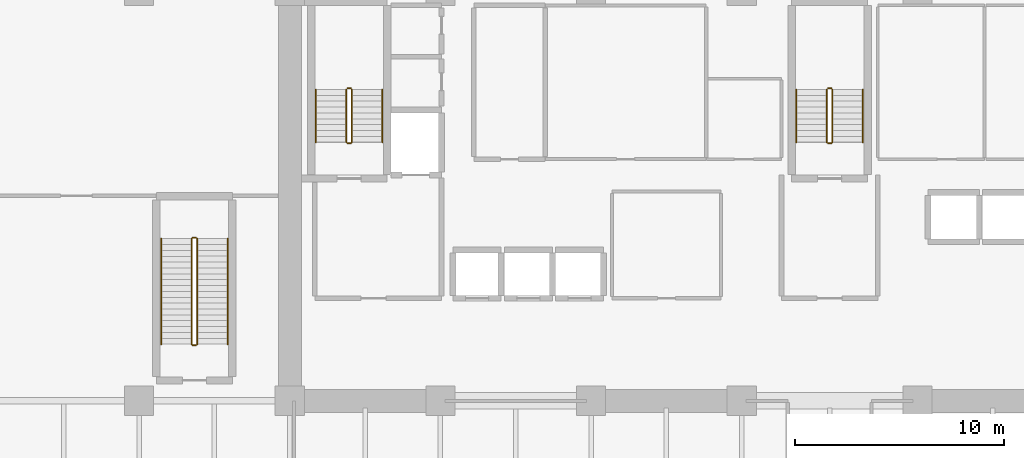
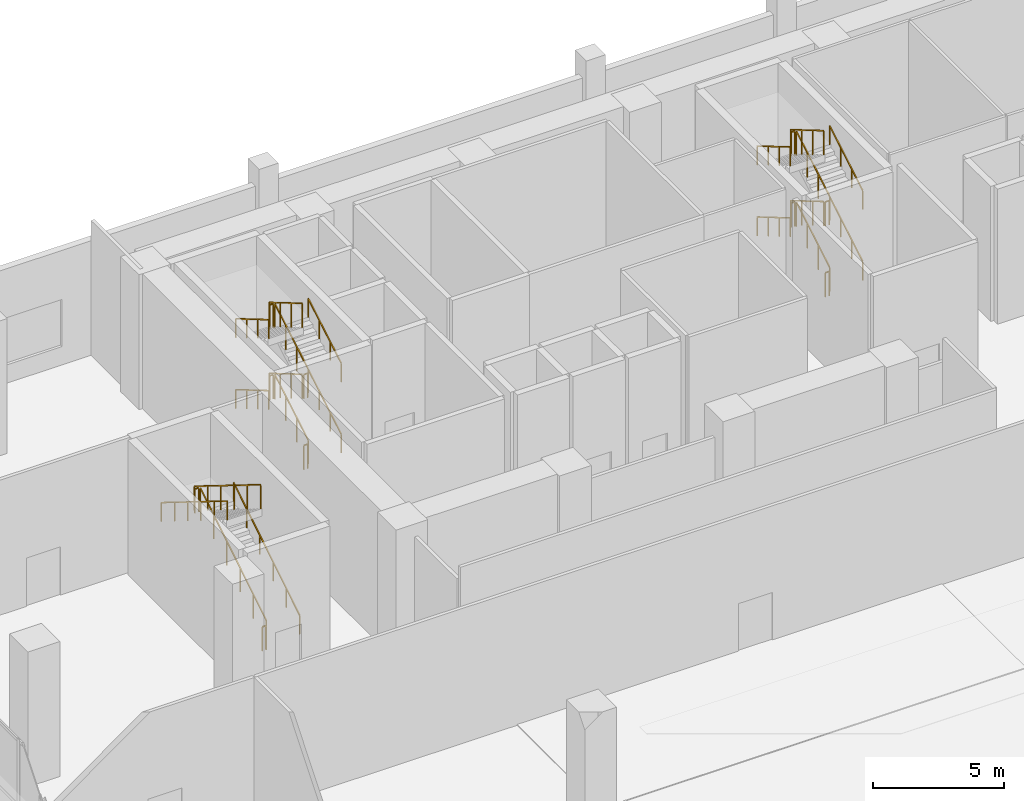
# One storey, part 28 of 29: 30 railings.
"""IFC4 building model written with IfcOpenShell, lengths in metres."""

import ifcopenshell
import ifcopenshell.guid

model = None  # the IFC model being written
_history = None  # IfcOwnerHistory: only IFC2X3 demands one
_inside = {}  # id of a spatial element -> (the spatial element, [elements in it])
_under = {}  # id of a project, library or spatial element -> (it, [spatial elements below it])
_declared = {}  # id of a project -> (the project, [libraries it declares])
_typed = {}  # id of a type object -> (the type object, [elements of that type])
_made_of = {}  # id of a material, layer set ... -> (it, [elements and type objects made of it])


def new_model(schema):
    """Start an empty IFC model of exactly this schema.

    Asked for "IFC4X3", IfcOpenShell would pick the latest addendum, in which some entities
    have other attributes; the version numbers below select the first issue.
    IFC2X3 requires an IfcOwnerHistory on every rooted entity: one is made here for all.
    """
    global model, _history
    if schema == "IFC4X3":
        model = ifcopenshell.file(schema_version=(4, 3, 0, 0))
    else:
        model = ifcopenshell.file(schema=schema)
    _inside.clear()
    _under.clear()
    _declared.clear()
    _typed.clear()
    _made_of.clear()
    _history = None
    if model.schema == "IFC2X3":
        org = make("IfcOrganization", Name="unknown")
        user = make(
            "IfcPersonAndOrganization",
            ThePerson=make("IfcPerson", FamilyName="unknown"),
            TheOrganization=org,
        )
        app = make(
            "IfcApplication",
            ApplicationDeveloper=org,
            Version="unknown",
            ApplicationFullName="unknown",
            ApplicationIdentifier="unknown",
        )
        _history = make(
            "IfcOwnerHistory",
            OwningUser=user,
            OwningApplication=app,
            ChangeAction="ADDED",
            CreationDate=0,
        )
    return model


def make(cls, **values):
    """One entity of the class cls with the attributes given. An attribute that is None is left unset."""
    return model.create_entity(
        cls, **{name: value for name, value in values.items() if value is not None}
    )


def rooted(cls, **values):
    """An entity with a GlobalId (a new one), such as an element, a storey or a relation."""
    return make(cls, GlobalId=ifcopenshell.guid.new(), OwnerHistory=_history, **values)


def si_unit(unit_type, name, prefix=None):
    """IfcSIUnit, for example si_unit("LENGTHUNIT", "METRE", prefix="MILLI")."""
    return make("IfcSIUnit", UnitType=unit_type, Prefix=prefix, Name=name)


def assignment(units):
    """IfcUnitAssignment: the units of a project."""
    return None if units is None else make("IfcUnitAssignment", Units=units)


def point(xyz):
    """IfcCartesianPoint."""
    return None if xyz is None else make("IfcCartesianPoint", Coordinates=xyz)


def direction(xyz):
    """IfcDirection."""
    return None if xyz is None else make("IfcDirection", DirectionRatios=xyz)


def frame(location, z_axis=None, x_axis=None):
    """IfcAxis2Placement3D, a coordinate frame: its origin and axes. An axis left out is left unset."""
    return make(
        "IfcAxis2Placement3D",
        Location=point(location),
        Axis=direction(z_axis),
        RefDirection=direction(x_axis),
    )


def frame_2d(location, x_axis=None):
    """IfcAxis2Placement2D, a coordinate frame in the plane: its origin and x axis."""
    return make(
        "IfcAxis2Placement2D", Location=point(location), RefDirection=direction(x_axis)
    )


def origin():
    """The frame at (0, 0, 0) with its axes left unset."""
    return frame((0.0, 0.0, 0.0))


def origin_2d():
    """The frame at (0, 0) in the plane with its x axis left unset."""
    return frame_2d((0.0, 0.0))


def place(relative_to, where):
    """IfcLocalPlacement: puts the frame where relative to a parent placement (None: the world)."""
    return make(
        "IfcLocalPlacement", PlacementRelTo=relative_to, RelativePlacement=where
    )


def context(
    kind, dimensions, precision=None, world=None, true_north=None, identifier=None
):
    """IfcGeometricRepresentationContext, for example the 3D "Model" context."""
    return make(
        "IfcGeometricRepresentationContext",
        ContextIdentifier=identifier,
        ContextType=kind,
        CoordinateSpaceDimension=dimensions,
        Precision=precision,
        WorldCoordinateSystem=world,
        TrueNorth=true_north,
    )


def subcontext(parent, identifier, kind, view, scale=None):
    """IfcGeometricRepresentationSubContext, for example "Body" below "Model"."""
    return make(
        "IfcGeometricRepresentationSubContext",
        ContextIdentifier=identifier,
        ContextType=kind,
        ParentContext=parent,
        TargetScale=scale,
        TargetView=view,
    )


def project(units=None, contexts=None):
    """IfcProject with its units and contexts."""
    return rooted(
        "IfcProject",
        Name="project",
        RepresentationContexts=contexts,
        UnitsInContext=assignment(units),
    )


def spatial(cls, under=None, at=None, **own):
    """A site, building, storey or space (cls), placed at a placement, below another one or the project."""
    s = rooted(cls, ObjectPlacement=at, **own)
    if under is not None:
        _under.setdefault(under.id(), (under, []))[1].append(s)
    return s


def profile(cls, at=None, kind="AREA", **sizes):
    """A parametric profile (cls). Its sizes go by their IFC names, for example OverallWidth=200.0."""
    return make(cls, ProfileType=kind, Position=at, **sizes)


def rectangle(**sizes):
    """IfcRectangleProfileDef."""
    return profile("IfcRectangleProfileDef", **sizes)


def extrude(swept, where, along, depth):
    """IfcExtrudedAreaSolid: the profile swept, set in the frame where, extruded along a direction by depth."""
    return make(
        "IfcExtrudedAreaSolid",
        SweptArea=swept,
        Position=where,
        ExtrudedDirection=direction(along),
        Depth=depth,
    )


def shape(context_of_items, identifier, shape_type, items):
    """IfcShapeRepresentation: the items that make up one representation, for example the "Body"."""
    return make(
        "IfcShapeRepresentation",
        ContextOfItems=context_of_items,
        RepresentationIdentifier=identifier,
        RepresentationType=shape_type,
        Items=items,
    )


def material(Name=None, Category=None):
    """IfcMaterial."""
    return make("IfcMaterial", Name=Name, Category=Category)


def made_of(thing, what):
    """Note that an element or type object is made of a material, layer set ...; save() writes the relation."""
    if what is not None:
        _made_of.setdefault(what.id(), (what, []))[1].append(thing)
    return thing


def type_object(cls, material=None, **own):
    """A type object (cls), such as IfcWallType, which elements share."""
    return made_of(rooted(cls, **own), material)


def element(
    cls,
    number,
    at=None,
    inside=None,
    cuts=None,
    type_object=None,
    material=None,
    context=None,
    identifier="Body",
    shape_type=None,
    held_by="IfcProductDefinitionShape",
    body=None,
    shapes=None,
    **own,
):
    """One element of the class cls, such as IfcWall. Its Tag is "e" and its number.

    at: its placement. inside: the storey or other place that contains it. cuts: it is an
    opening in that element (IfcRelVoidsElement). A single representation is given by context,
    identifier, shape_type and body (its items); several are given by shapes. held_by: the class
    of the entity that holds the representations. save() writes the other relations.
    """
    e = rooted(cls, Tag="e%d" % number, ObjectPlacement=at, **own)
    if body is not None:
        shapes = [shape(context, identifier, shape_type, body)]
    if shapes is not None:
        e.Representation = make(held_by, Representations=shapes)
    if inside is not None:
        _inside.setdefault(inside.id(), (inside, []))[1].append(e)
    if cuts is not None:
        rooted(
            "IfcRelVoidsElement", RelatingBuildingElement=cuts, RelatedOpeningElement=e
        )
    if type_object is not None:
        _typed.setdefault(type_object.id(), (type_object, []))[1].append(e)
    return made_of(e, material)


def aggregate(whole, parts):
    """IfcRelAggregates: a whole, such as a stair, and the parts it consists of."""
    return rooted("IfcRelAggregates", RelatingObject=whole, RelatedObjects=parts)


def save(model, path):
    """Write the relations noted so far, then the file.

    IfcRelAggregates (storeys below a building ...), IfcRelContainedInSpatialStructure (elements
    in a storey), IfcRelDefinesByType, IfcRelAssociatesMaterial and IfcRelDeclares: one each for
    every whole, place, type object, material and project.
    """
    for whole, parts in _under.values():
        aggregate(whole, parts)
    for where, things in _inside.values():
        rooted(
            "IfcRelContainedInSpatialStructure",
            RelatedElements=things,
            RelatingStructure=where,
        )
    for kind, things in _typed.values():
        rooted("IfcRelDefinesByType", RelatedObjects=things, RelatingType=kind)
    for what, things in _made_of.values():
        rooted("IfcRelAssociatesMaterial", RelatedObjects=things, RelatingMaterial=what)
    for by, libraries in _declared.values():
        rooted("IfcRelDeclares", RelatingContext=by, RelatedDefinitions=libraries)
    model.write(path)


model = new_model("IFC4")

# Units and contexts
model_context = context("Model", 3, precision=1e-05, world=origin(), true_north=direction((0.0, 1.0)))
body_context = subcontext(model_context, "Body", "Model", "MODEL_VIEW")
ifc_project = project(units=[si_unit("LENGTHUNIT", "METRE"), si_unit("AREAUNIT", "SQUARE_METRE"), si_unit("VOLUMEUNIT", "CUBIC_METRE"), si_unit("PLANEANGLEUNIT", "RADIAN"), si_unit("MASSUNIT", "GRAM", prefix="KILO")], contexts=[model_context])

# Site, building, storey
site_placement = place(None, origin())
site = spatial("IfcSite", under=ifc_project, at=site_placement, CompositionType="ELEMENT")
building_placement = place(site_placement, origin())
building = spatial("IfcBuilding", under=site, at=building_placement, Name="Kaelvorn Grand Hotel", CompositionType="ELEMENT")
storey_placement = place(building_placement, frame((0.0, 0.0, 19.39990234375)))
storey = spatial("IfcBuildingStorey", under=building, at=storey_placement, Name="L03", CompositionType="ELEMENT", Elevation=19.39990234375)

# Railings
ifc_material = material(Name="Stainless Steel", Category="steel")
railing_type_1 = type_object("IfcRailingType", Name="RL-HANDRAIL-900", PredefinedType="HANDRAIL", material=ifc_material)
railing_1_placement = place(storey_placement, frame((20.6298828125, 41.760009765625, 0.1650390625)))
element("IfcRailing", 1, at=railing_1_placement, inside=storey, type_object=railing_type_1, Name="L03 ST1 stair handrail 1", PredefinedType="HANDRAIL", context=body_context, shape_type="SweptSolid", body=[
    extrude(rectangle(XDim=0.048095703125, YDim=0.048095703125, at=origin_2d()), frame((0.0, 0.0, 0.8759765625), z_axis=(0.0, 0.86152411907, 0.507716645641), x_axis=(-1.0, 0.0, 0.0)), (0.0, 0.0, 1.0), 2.925048828125),
    extrude(rectangle(XDim=0.0419921875, YDim=0.0419921875, at=origin_2d()), origin(), (0.0, 0.0, 1.0), 0.851806640625),
    extrude(rectangle(XDim=0.0419921875, YDim=0.0419921875, at=origin_2d()), frame((0.0, 0.840087890625, 0.4951171875)), (0.0, 0.0, 1.0), 0.851806640625),
    extrude(rectangle(XDim=0.0419921875, YDim=0.0419921875, at=origin_2d()), frame((0.0, 1.679931640625, 0.989990234375)), (0.0, 0.0, 1.0), 0.851806640625),
    extrude(rectangle(XDim=0.0419921875, YDim=0.0419921875, at=origin_2d()), frame((0.0, 2.52001953125, 1.485107421875)), (0.0, 0.0, 1.0), 0.851806640625),
])
railing_2_placement = place(storey_placement, frame((17.449951171875, 44.280029296875, 1.815185546875)))
element("IfcRailing", 2, at=railing_2_placement, inside=storey, type_object=railing_type_1, Name="L03 ST1 stair handrail 2", PredefinedType="HANDRAIL", context=body_context, shape_type="SweptSolid", body=[
    extrude(rectangle(XDim=0.048095703125, YDim=0.048095703125, at=origin_2d()), frame((0.0, 0.0, 0.8759765625), z_axis=(0.0, -0.861560626758, 0.507654692109), x_axis=(1.0, 0.0, 0.0)), (0.0, 0.0, 1.0), 2.925048828125),
    extrude(rectangle(XDim=0.0419921875, YDim=0.0419921875, at=origin_2d()), origin(), (0.0, 0.0, 1.0), 0.851806640625),
    extrude(rectangle(XDim=0.0419921875, YDim=0.0419921875, at=origin_2d()), frame((0.0, -0.840087890625, 0.494873046875)), (0.0, 0.0, 1.0), 0.851806640625),
    extrude(rectangle(XDim=0.0419921875, YDim=0.0419921875, at=origin_2d()), frame((0.0, -1.679931640625, 0.989990234375)), (0.0, 0.0, 1.0), 0.851806640625),
    extrude(rectangle(XDim=0.0419921875, YDim=0.0419921875, at=origin_2d()), frame((0.0, -2.52001953125, 1.48486328125)), (0.0, 0.0, 1.0), 0.851806640625),
])
railing_3_placement = place(storey_placement, frame((20.6298828125, 41.760009765625, 3.465087890625)))
element("IfcRailing", 3, at=railing_3_placement, inside=storey, type_object=railing_type_1, Name="L03 ST1 stair handrail 3", PredefinedType="HANDRAIL", context=body_context, shape_type="SweptSolid", body=[
    extrude(rectangle(XDim=0.048095703125, YDim=0.048095703125, at=origin_2d()), frame((0.0, 0.0, 0.8759765625), z_axis=(0.0, 0.86152411907, 0.507716645641), x_axis=(-1.0, 0.0, 0.0)), (0.0, 0.0, 1.0), 2.925048828125),
    extrude(rectangle(XDim=0.0419921875, YDim=0.0419921875, at=origin_2d()), origin(), (0.0, 0.0, 1.0), 0.851806640625),
    extrude(rectangle(XDim=0.0419921875, YDim=0.0419921875, at=origin_2d()), frame((0.0, 0.840087890625, 0.4951171875)), (0.0, 0.0, 1.0), 0.851806640625),
    extrude(rectangle(XDim=0.0419921875, YDim=0.0419921875, at=origin_2d()), frame((0.0, 1.679931640625, 0.989990234375)), (0.0, 0.0, 1.0), 0.851806640625),
    extrude(rectangle(XDim=0.0419921875, YDim=0.0419921875, at=origin_2d()), frame((0.0, 2.52001953125, 1.485107421875)), (0.0, 0.0, 1.0), 0.851806640625),
])
railing_4_placement = place(storey_placement, frame((17.449951171875, 44.280029296875, 5.114990234375)))
element("IfcRailing", 4, at=railing_4_placement, inside=storey, type_object=railing_type_1, Name="L03 ST1 stair handrail 4", PredefinedType="HANDRAIL", context=body_context, shape_type="SweptSolid", body=[
    extrude(rectangle(XDim=0.048095703125, YDim=0.048095703125, at=origin_2d()), frame((0.0, 0.0, 0.8759765625), z_axis=(0.0, -0.86152411907, 0.507716645641), x_axis=(1.0, 0.0, 0.0)), (0.0, 0.0, 1.0), 2.925048828125),
    extrude(rectangle(XDim=0.0419921875, YDim=0.0419921875, at=origin_2d()), origin(), (0.0, 0.0, 1.0), 0.851806640625),
    extrude(rectangle(XDim=0.0419921875, YDim=0.0419921875, at=origin_2d()), frame((0.0, -0.840087890625, 0.4951171875)), (0.0, 0.0, 1.0), 0.851806640625),
    extrude(rectangle(XDim=0.0419921875, YDim=0.0419921875, at=origin_2d()), frame((0.0, -1.679931640625, 0.989990234375)), (0.0, 0.0, 1.0), 0.851806640625),
    extrude(rectangle(XDim=0.0419921875, YDim=0.0419921875, at=origin_2d()), frame((0.0, -2.52001953125, 1.485107421875)), (0.0, 0.0, 1.0), 0.851806640625),
])
railing_5_placement = place(storey_placement, frame((43.590087890625, 41.760009765625, 0.1650390625)))
element("IfcRailing", 5, at=railing_5_placement, inside=storey, type_object=railing_type_1, Name="L03 ST2 stair handrail 1", PredefinedType="HANDRAIL", context=body_context, shape_type="SweptSolid", body=[
    extrude(rectangle(XDim=0.048095703125, YDim=0.048095703125, at=origin_2d()), frame((0.0, 0.0, 0.8759765625), z_axis=(0.0, 0.86152411907, 0.507716645641), x_axis=(-1.0, 0.0, 0.0)), (0.0, 0.0, 1.0), 2.925048828125),
    extrude(rectangle(XDim=0.0419921875, YDim=0.0419921875, at=origin_2d()), origin(), (0.0, 0.0, 1.0), 0.851806640625),
    extrude(rectangle(XDim=0.0419921875, YDim=0.0419921875, at=origin_2d()), frame((0.0, 0.840087890625, 0.4951171875)), (0.0, 0.0, 1.0), 0.851806640625),
    extrude(rectangle(XDim=0.0419921875, YDim=0.0419921875, at=origin_2d()), frame((0.0, 1.679931640625, 0.989990234375)), (0.0, 0.0, 1.0), 0.851806640625),
    extrude(rectangle(XDim=0.0419921875, YDim=0.0419921875, at=origin_2d()), frame((0.0, 2.52001953125, 1.485107421875)), (0.0, 0.0, 1.0), 0.851806640625),
])
railing_6_placement = place(storey_placement, frame((40.409912109375, 44.280029296875, 1.815185546875)))
element("IfcRailing", 6, at=railing_6_placement, inside=storey, type_object=railing_type_1, Name="L03 ST2 stair handrail 2", PredefinedType="HANDRAIL", context=body_context, shape_type="SweptSolid", body=[
    extrude(rectangle(XDim=0.048095703125, YDim=0.048095703125, at=origin_2d()), frame((0.0, 0.0, 0.8759765625), z_axis=(0.0, -0.861560626758, 0.507654692109), x_axis=(1.0, 0.0, 0.0)), (0.0, 0.0, 1.0), 2.925048828125),
    extrude(rectangle(XDim=0.0419921875, YDim=0.0419921875, at=origin_2d()), origin(), (0.0, 0.0, 1.0), 0.851806640625),
    extrude(rectangle(XDim=0.0419921875, YDim=0.0419921875, at=origin_2d()), frame((0.0, -0.840087890625, 0.494873046875)), (0.0, 0.0, 1.0), 0.851806640625),
    extrude(rectangle(XDim=0.0419921875, YDim=0.0419921875, at=origin_2d()), frame((0.0, -1.679931640625, 0.989990234375)), (0.0, 0.0, 1.0), 0.851806640625),
    extrude(rectangle(XDim=0.0419921875, YDim=0.0419921875, at=origin_2d()), frame((0.0, -2.52001953125, 1.48486328125)), (0.0, 0.0, 1.0), 0.851806640625),
])
railing_7_placement = place(storey_placement, frame((43.590087890625, 41.760009765625, 3.465087890625)))
element("IfcRailing", 7, at=railing_7_placement, inside=storey, type_object=railing_type_1, Name="L03 ST2 stair handrail 3", PredefinedType="HANDRAIL", context=body_context, shape_type="SweptSolid", body=[
    extrude(rectangle(XDim=0.048095703125, YDim=0.048095703125, at=origin_2d()), frame((0.0, 0.0, 0.8759765625), z_axis=(0.0, 0.86152411907, 0.507716645641), x_axis=(-1.0, 0.0, 0.0)), (0.0, 0.0, 1.0), 2.925048828125),
    extrude(rectangle(XDim=0.0419921875, YDim=0.0419921875, at=origin_2d()), origin(), (0.0, 0.0, 1.0), 0.851806640625),
    extrude(rectangle(XDim=0.0419921875, YDim=0.0419921875, at=origin_2d()), frame((0.0, 0.840087890625, 0.4951171875)), (0.0, 0.0, 1.0), 0.851806640625),
    extrude(rectangle(XDim=0.0419921875, YDim=0.0419921875, at=origin_2d()), frame((0.0, 1.679931640625, 0.989990234375)), (0.0, 0.0, 1.0), 0.851806640625),
    extrude(rectangle(XDim=0.0419921875, YDim=0.0419921875, at=origin_2d()), frame((0.0, 2.52001953125, 1.485107421875)), (0.0, 0.0, 1.0), 0.851806640625),
])
railing_8_placement = place(storey_placement, frame((40.409912109375, 44.280029296875, 5.114990234375)))
element("IfcRailing", 8, at=railing_8_placement, inside=storey, type_object=railing_type_1, Name="L03 ST2 stair handrail 4", PredefinedType="HANDRAIL", context=body_context, shape_type="SweptSolid", body=[
    extrude(rectangle(XDim=0.048095703125, YDim=0.048095703125, at=origin_2d()), frame((0.0, 0.0, 0.8759765625), z_axis=(0.0, -0.86152411907, 0.507716645641), x_axis=(1.0, 0.0, 0.0)), (0.0, 0.0, 1.0), 2.925048828125),
    extrude(rectangle(XDim=0.0419921875, YDim=0.0419921875, at=origin_2d()), origin(), (0.0, 0.0, 1.0), 0.851806640625),
    extrude(rectangle(XDim=0.0419921875, YDim=0.0419921875, at=origin_2d()), frame((0.0, -0.840087890625, 0.4951171875)), (0.0, 0.0, 1.0), 0.851806640625),
    extrude(rectangle(XDim=0.0419921875, YDim=0.0419921875, at=origin_2d()), frame((0.0, -1.679931640625, 0.989990234375)), (0.0, 0.0, 1.0), 0.851806640625),
    extrude(rectangle(XDim=0.0419921875, YDim=0.0419921875, at=origin_2d()), frame((0.0, -2.52001953125, 1.485107421875)), (0.0, 0.0, 1.0), 0.851806640625),
])
railing_9_placement = place(storey_placement, frame((13.22998046875, 32.110107421875, 0.173828125)))
element("IfcRailing", 9, at=railing_9_placement, inside=storey, type_object=railing_type_1, Name="L03 ST4 stair handrail 1", PredefinedType="HANDRAIL", context=body_context, shape_type="SweptSolid", body=[
    extrude(rectangle(XDim=0.048095703125, YDim=0.048095703125, at=origin_2d()), frame((0.0, 0.0, 0.8759765625), z_axis=(0.0, 0.84978578655, 0.527128178888), x_axis=(-1.0, 0.0, 0.0)), (0.0, 0.0, 1.0), 5.9306640625),
    extrude(rectangle(XDim=0.0419921875, YDim=0.0419921875, at=origin_2d()), origin(), (0.0, 0.0, 1.0), 0.851806640625),
    extrude(rectangle(XDim=0.0419921875, YDim=0.0419921875, at=origin_2d()), frame((0.0, 1.008056640625, 0.625244140625)), (0.0, 0.0, 1.0), 0.851806640625),
    extrude(rectangle(XDim=0.0419921875, YDim=0.0419921875, at=origin_2d()), frame((0.0, 2.015869140625, 1.25048828125)), (0.0, 0.0, 1.0), 0.851806640625),
    extrude(rectangle(XDim=0.0419921875, YDim=0.0419921875, at=origin_2d()), frame((0.0, 3.02392578125, 1.875732421875)), (0.0, 0.0, 1.0), 0.851806640625),
    extrude(rectangle(XDim=0.0419921875, YDim=0.0419921875, at=origin_2d()), frame((0.0, 4.03173828125, 2.5009765625)), (0.0, 0.0, 1.0), 0.851806640625),
    extrude(rectangle(XDim=0.0419921875, YDim=0.0419921875, at=origin_2d()), frame((0.0, 5.039794921875, 3.126220703125)), (0.0, 0.0, 1.0), 0.851806640625),
])
railing_10_placement = place(storey_placement, frame((10.050048828125, 37.14990234375, 3.473876953125)))
element("IfcRailing", 10, at=railing_10_placement, inside=storey, type_object=railing_type_1, Name="L03 ST4 stair handrail 2", PredefinedType="HANDRAIL", context=body_context, shape_type="SweptSolid", body=[
    extrude(rectangle(XDim=0.048095703125, YDim=0.048095703125, at=origin_2d()), frame((0.0, 0.0, 0.8759765625), z_axis=(0.0, -0.84978578655, 0.527128178888), x_axis=(1.0, 0.0, 0.0)), (0.0, 0.0, 1.0), 5.9306640625),
    extrude(rectangle(XDim=0.0419921875, YDim=0.0419921875, at=origin_2d()), origin(), (0.0, 0.0, 1.0), 0.851806640625),
    extrude(rectangle(XDim=0.0419921875, YDim=0.0419921875, at=origin_2d()), frame((0.0, -1.008056640625, 0.625244140625)), (0.0, 0.0, 1.0), 0.851806640625),
    extrude(rectangle(XDim=0.0419921875, YDim=0.0419921875, at=origin_2d()), frame((0.0, -2.015869140625, 1.25048828125)), (0.0, 0.0, 1.0), 0.851806640625),
    extrude(rectangle(XDim=0.0419921875, YDim=0.0419921875, at=origin_2d()), frame((0.0, -3.02392578125, 1.875732421875)), (0.0, 0.0, 1.0), 0.851806640625),
    extrude(rectangle(XDim=0.0419921875, YDim=0.0419921875, at=origin_2d()), frame((0.0, -4.03173828125, 2.5009765625)), (0.0, 0.0, 1.0), 0.851806640625),
    extrude(rectangle(XDim=0.0419921875, YDim=0.0419921875, at=origin_2d()), frame((0.0, -5.039794921875, 3.126220703125)), (0.0, 0.0, 1.0), 0.851806640625),
])
railing_type_2 = type_object("IfcRailingType", Name="RL-STAIR-GUARD-1150", PredefinedType="BALUSTRADE", material=ifc_material)
railing_11_placement = place(storey_placement, frame((19.169921875, 41.760009765625, 0.1650390625)))
element("IfcRailing", 11, at=railing_11_placement, inside=storey, type_object=railing_type_2, Name="L03 ST1 stair guard 1", PredefinedType="BALUSTRADE", context=body_context, shape_type="SweptSolid", body=[
    extrude(rectangle(XDim=0.048095703125, YDim=0.048095703125, at=origin_2d()), frame((0.0, 0.0, 1.1259765625), z_axis=(0.0, 0.86152411907, 0.507716645641), x_axis=(-1.0, 0.0, 0.0)), (0.0, 0.0, 1.0), 2.925048828125),
    extrude(rectangle(XDim=0.0419921875, YDim=0.0419921875, at=origin_2d()), origin(), (0.0, 0.0, 1.0), 1.101806640625),
    extrude(rectangle(XDim=0.0419921875, YDim=0.0419921875, at=origin_2d()), frame((0.0, 0.840087890625, 0.4951171875)), (0.0, 0.0, 1.0), 1.101806640625),
    extrude(rectangle(XDim=0.0419921875, YDim=0.0419921875, at=origin_2d()), frame((0.0, 1.679931640625, 0.989990234375)), (0.0, 0.0, 1.0), 1.101806640625),
    extrude(rectangle(XDim=0.0419921875, YDim=0.0419921875, at=origin_2d()), frame((0.0, 2.52001953125, 1.485107421875)), (0.0, 0.0, 1.0), 1.101806640625),
])
railing_12_placement = place(storey_placement, frame((19.1201171875, 44.330078125, 1.650146484375)))
element("IfcRailing", 12, at=railing_12_placement, inside=storey, type_object=railing_type_2, Name="L03 ST1 stair guard 2", PredefinedType="BALUSTRADE", context=body_context, shape_type="SweptSolid", body=[
    extrude(rectangle(XDim=0.048095703125, YDim=0.048095703125, at=origin_2d()), frame((0.0, 0.0, 1.1259765625), z_axis=(-1.0, 0.0, 0.0), x_axis=(0.0, -1.0, 0.0)), (0.0, 0.0, 1.0), 0.16015625),
    extrude(rectangle(XDim=0.0419921875, YDim=0.0419921875, at=origin_2d()), origin(), (0.0, 0.0, 1.0), 1.101806640625),
    extrude(rectangle(XDim=0.0419921875, YDim=0.0419921875, at=origin_2d()), frame((-0.16015625, 0.0, 0.0)), (0.0, 0.0, 1.0), 1.101806640625),
])
railing_13_placement = place(storey_placement, frame((18.909912109375, 44.280029296875, 1.815185546875)))
element("IfcRailing", 13, at=railing_13_placement, inside=storey, type_object=railing_type_2, Name="L03 ST1 stair guard 3", PredefinedType="BALUSTRADE", context=body_context, shape_type="SweptSolid", body=[
    extrude(rectangle(XDim=0.048095703125, YDim=0.048095703125, at=origin_2d()), frame((0.0, 0.0, 1.1259765625), z_axis=(0.0, -0.861560626758, 0.507654692109), x_axis=(1.0, 0.0, 0.0)), (0.0, 0.0, 1.0), 2.925048828125),
    extrude(rectangle(XDim=0.0419921875, YDim=0.0419921875, at=origin_2d()), origin(), (0.0, 0.0, 1.0), 1.101806640625),
    extrude(rectangle(XDim=0.0419921875, YDim=0.0419921875, at=origin_2d()), frame((0.0, -0.840087890625, 0.494873046875)), (0.0, 0.0, 1.0), 1.101806640625),
    extrude(rectangle(XDim=0.0419921875, YDim=0.0419921875, at=origin_2d()), frame((0.0, -1.679931640625, 0.989990234375)), (0.0, 0.0, 1.0), 1.101806640625),
    extrude(rectangle(XDim=0.0419921875, YDim=0.0419921875, at=origin_2d()), frame((0.0, -2.52001953125, 1.48486328125)), (0.0, 0.0, 1.0), 1.101806640625),
])
railing_14_placement = place(storey_placement, frame((19.1201171875, 41.7099609375, 3.300048828125)))
element("IfcRailing", 14, at=railing_14_placement, inside=storey, type_object=railing_type_2, Name="L03 ST1 stair guard 4", PredefinedType="BALUSTRADE", context=body_context, shape_type="SweptSolid", body=[
    extrude(rectangle(XDim=0.048095703125, YDim=0.048095703125, at=origin_2d()), frame((0.0, 0.0, 1.1259765625), z_axis=(-1.0, 0.0, 0.0), x_axis=(0.0, -1.0, 0.0)), (0.0, 0.0, 1.0), 0.16015625),
    extrude(rectangle(XDim=0.0419921875, YDim=0.0419921875, at=origin_2d()), origin(), (0.0, 0.0, 1.0), 1.101806640625),
    extrude(rectangle(XDim=0.0419921875, YDim=0.0419921875, at=origin_2d()), frame((-0.16015625, 0.0, 0.0)), (0.0, 0.0, 1.0), 1.101806640625),
])
railing_15_placement = place(storey_placement, frame((19.169921875, 41.760009765625, 3.465087890625)))
element("IfcRailing", 15, at=railing_15_placement, inside=storey, type_object=railing_type_2, Name="L03 ST1 stair guard 5", PredefinedType="BALUSTRADE", context=body_context, shape_type="SweptSolid", body=[
    extrude(rectangle(XDim=0.048095703125, YDim=0.048095703125, at=origin_2d()), frame((0.0, 0.0, 1.1259765625), z_axis=(0.0, 0.86152411907, 0.507716645641), x_axis=(-1.0, 0.0, 0.0)), (0.0, 0.0, 1.0), 2.925048828125),
    extrude(rectangle(XDim=0.0419921875, YDim=0.0419921875, at=origin_2d()), origin(), (0.0, 0.0, 1.0), 1.101806640625),
    extrude(rectangle(XDim=0.0419921875, YDim=0.0419921875, at=origin_2d()), frame((0.0, 0.840087890625, 0.4951171875)), (0.0, 0.0, 1.0), 1.101806640625),
    extrude(rectangle(XDim=0.0419921875, YDim=0.0419921875, at=origin_2d()), frame((0.0, 1.679931640625, 0.989990234375)), (0.0, 0.0, 1.0), 1.101806640625),
    extrude(rectangle(XDim=0.0419921875, YDim=0.0419921875, at=origin_2d()), frame((0.0, 2.52001953125, 1.485107421875)), (0.0, 0.0, 1.0), 1.101806640625),
])
railing_16_placement = place(storey_placement, frame((19.1201171875, 44.330078125, 4.9501953125)))
element("IfcRailing", 16, at=railing_16_placement, inside=storey, type_object=railing_type_2, Name="L03 ST1 stair guard 6", PredefinedType="BALUSTRADE", context=body_context, shape_type="SweptSolid", body=[
    extrude(rectangle(XDim=0.048095703125, YDim=0.048095703125, at=origin_2d()), frame((0.0, 0.0, 1.1259765625), z_axis=(-1.0, 0.0, 0.0), x_axis=(0.0, -1.0, 0.0)), (0.0, 0.0, 1.0), 0.16015625),
    extrude(rectangle(XDim=0.0419921875, YDim=0.0419921875, at=origin_2d()), origin(), (0.0, 0.0, 1.0), 1.101806640625),
    extrude(rectangle(XDim=0.0419921875, YDim=0.0419921875, at=origin_2d()), frame((-0.16015625, 0.0, 0.0)), (0.0, 0.0, 1.0), 1.101806640625),
])
railing_17_placement = place(storey_placement, frame((18.909912109375, 44.280029296875, 5.114990234375)))
element("IfcRailing", 17, at=railing_17_placement, inside=storey, type_object=railing_type_2, Name="L03 ST1 stair guard 7", PredefinedType="BALUSTRADE", context=body_context, shape_type="SweptSolid", body=[
    extrude(rectangle(XDim=0.048095703125, YDim=0.048095703125, at=origin_2d()), frame((0.0, 0.0, 1.1259765625), z_axis=(0.0, -0.86152411907, 0.507716645641), x_axis=(1.0, 0.0, 0.0)), (0.0, 0.0, 1.0), 2.925048828125),
    extrude(rectangle(XDim=0.0419921875, YDim=0.0419921875, at=origin_2d()), origin(), (0.0, 0.0, 1.0), 1.101806640625),
    extrude(rectangle(XDim=0.0419921875, YDim=0.0419921875, at=origin_2d()), frame((0.0, -0.840087890625, 0.4951171875)), (0.0, 0.0, 1.0), 1.101806640625),
    extrude(rectangle(XDim=0.0419921875, YDim=0.0419921875, at=origin_2d()), frame((0.0, -1.679931640625, 0.989990234375)), (0.0, 0.0, 1.0), 1.101806640625),
    extrude(rectangle(XDim=0.0419921875, YDim=0.0419921875, at=origin_2d()), frame((0.0, -2.52001953125, 1.485107421875)), (0.0, 0.0, 1.0), 1.101806640625),
])
railing_18_placement = place(storey_placement, frame((19.1201171875, 41.7099609375, 0.0)))
element("IfcRailing", 18, at=railing_18_placement, inside=storey, type_object=railing_type_2, Name="L03 ST1 stair guard 8", PredefinedType="BALUSTRADE", context=body_context, shape_type="SweptSolid", body=[
    extrude(rectangle(XDim=0.048095703125, YDim=0.048095703125, at=origin_2d()), frame((0.0, 0.0, 1.1259765625), z_axis=(-1.0, 0.0, 0.0), x_axis=(0.0, -1.0, 0.0)), (0.0, 0.0, 1.0), 0.16015625),
    extrude(rectangle(XDim=0.0419921875, YDim=0.0419921875, at=origin_2d()), origin(), (0.0, 0.0, 1.0), 1.101806640625),
    extrude(rectangle(XDim=0.0419921875, YDim=0.0419921875, at=origin_2d()), frame((-0.16015625, 0.0, 0.0)), (0.0, 0.0, 1.0), 1.101806640625),
])
railing_19_placement = place(storey_placement, frame((42.1298828125, 41.760009765625, 0.1650390625)))
element("IfcRailing", 19, at=railing_19_placement, inside=storey, type_object=railing_type_2, Name="L03 ST2 stair guard 1", PredefinedType="BALUSTRADE", context=body_context, shape_type="SweptSolid", body=[
    extrude(rectangle(XDim=0.048095703125, YDim=0.048095703125, at=origin_2d()), frame((0.0, 0.0, 1.1259765625), z_axis=(0.0, 0.86152411907, 0.507716645641), x_axis=(-1.0, 0.0, 0.0)), (0.0, 0.0, 1.0), 2.925048828125),
    extrude(rectangle(XDim=0.0419921875, YDim=0.0419921875, at=origin_2d()), origin(), (0.0, 0.0, 1.0), 1.101806640625),
    extrude(rectangle(XDim=0.0419921875, YDim=0.0419921875, at=origin_2d()), frame((0.0, 0.840087890625, 0.4951171875)), (0.0, 0.0, 1.0), 1.101806640625),
    extrude(rectangle(XDim=0.0419921875, YDim=0.0419921875, at=origin_2d()), frame((0.0, 1.679931640625, 0.989990234375)), (0.0, 0.0, 1.0), 1.101806640625),
    extrude(rectangle(XDim=0.0419921875, YDim=0.0419921875, at=origin_2d()), frame((0.0, 2.52001953125, 1.485107421875)), (0.0, 0.0, 1.0), 1.101806640625),
])
railing_20_placement = place(storey_placement, frame((42.080078125, 44.330078125, 1.650146484375)))
element("IfcRailing", 20, at=railing_20_placement, inside=storey, type_object=railing_type_2, Name="L03 ST2 stair guard 2", PredefinedType="BALUSTRADE", context=body_context, shape_type="SweptSolid", body=[
    extrude(rectangle(XDim=0.048095703125, YDim=0.048095703125, at=origin_2d()), frame((0.0, 0.0, 1.1259765625), z_axis=(-1.0, 0.0, 0.0), x_axis=(0.0, -1.0, 0.0)), (0.0, 0.0, 1.0), 0.16015625),
    extrude(rectangle(XDim=0.0419921875, YDim=0.0419921875, at=origin_2d()), origin(), (0.0, 0.0, 1.0), 1.101806640625),
    extrude(rectangle(XDim=0.0419921875, YDim=0.0419921875, at=origin_2d()), frame((-0.16015625, 0.0, 0.0)), (0.0, 0.0, 1.0), 1.101806640625),
])
railing_21_placement = place(storey_placement, frame((41.8701171875, 44.280029296875, 1.815185546875)))
element("IfcRailing", 21, at=railing_21_placement, inside=storey, type_object=railing_type_2, Name="L03 ST2 stair guard 3", PredefinedType="BALUSTRADE", context=body_context, shape_type="SweptSolid", body=[
    extrude(rectangle(XDim=0.048095703125, YDim=0.048095703125, at=origin_2d()), frame((0.0, 0.0, 1.1259765625), z_axis=(0.0, -0.861560626758, 0.507654692109), x_axis=(1.0, 0.0, 0.0)), (0.0, 0.0, 1.0), 2.925048828125),
    extrude(rectangle(XDim=0.0419921875, YDim=0.0419921875, at=origin_2d()), origin(), (0.0, 0.0, 1.0), 1.101806640625),
    extrude(rectangle(XDim=0.0419921875, YDim=0.0419921875, at=origin_2d()), frame((0.0, -0.840087890625, 0.494873046875)), (0.0, 0.0, 1.0), 1.101806640625),
    extrude(rectangle(XDim=0.0419921875, YDim=0.0419921875, at=origin_2d()), frame((0.0, -1.679931640625, 0.989990234375)), (0.0, 0.0, 1.0), 1.101806640625),
    extrude(rectangle(XDim=0.0419921875, YDim=0.0419921875, at=origin_2d()), frame((0.0, -2.52001953125, 1.48486328125)), (0.0, 0.0, 1.0), 1.101806640625),
])
railing_22_placement = place(storey_placement, frame((42.080078125, 41.7099609375, 3.300048828125)))
element("IfcRailing", 22, at=railing_22_placement, inside=storey, type_object=railing_type_2, Name="L03 ST2 stair guard 4", PredefinedType="BALUSTRADE", context=body_context, shape_type="SweptSolid", body=[
    extrude(rectangle(XDim=0.048095703125, YDim=0.048095703125, at=origin_2d()), frame((0.0, 0.0, 1.1259765625), z_axis=(-1.0, 0.0, 0.0), x_axis=(0.0, -1.0, 0.0)), (0.0, 0.0, 1.0), 0.16015625),
    extrude(rectangle(XDim=0.0419921875, YDim=0.0419921875, at=origin_2d()), origin(), (0.0, 0.0, 1.0), 1.101806640625),
    extrude(rectangle(XDim=0.0419921875, YDim=0.0419921875, at=origin_2d()), frame((-0.16015625, 0.0, 0.0)), (0.0, 0.0, 1.0), 1.101806640625),
])
railing_23_placement = place(storey_placement, frame((42.1298828125, 41.760009765625, 3.465087890625)))
element("IfcRailing", 23, at=railing_23_placement, inside=storey, type_object=railing_type_2, Name="L03 ST2 stair guard 5", PredefinedType="BALUSTRADE", context=body_context, shape_type="SweptSolid", body=[
    extrude(rectangle(XDim=0.048095703125, YDim=0.048095703125, at=origin_2d()), frame((0.0, 0.0, 1.1259765625), z_axis=(0.0, 0.86152411907, 0.507716645641), x_axis=(-1.0, 0.0, 0.0)), (0.0, 0.0, 1.0), 2.925048828125),
    extrude(rectangle(XDim=0.0419921875, YDim=0.0419921875, at=origin_2d()), origin(), (0.0, 0.0, 1.0), 1.101806640625),
    extrude(rectangle(XDim=0.0419921875, YDim=0.0419921875, at=origin_2d()), frame((0.0, 0.840087890625, 0.4951171875)), (0.0, 0.0, 1.0), 1.101806640625),
    extrude(rectangle(XDim=0.0419921875, YDim=0.0419921875, at=origin_2d()), frame((0.0, 1.679931640625, 0.989990234375)), (0.0, 0.0, 1.0), 1.101806640625),
    extrude(rectangle(XDim=0.0419921875, YDim=0.0419921875, at=origin_2d()), frame((0.0, 2.52001953125, 1.485107421875)), (0.0, 0.0, 1.0), 1.101806640625),
])
railing_24_placement = place(storey_placement, frame((42.080078125, 44.330078125, 4.9501953125)))
element("IfcRailing", 24, at=railing_24_placement, inside=storey, type_object=railing_type_2, Name="L03 ST2 stair guard 6", PredefinedType="BALUSTRADE", context=body_context, shape_type="SweptSolid", body=[
    extrude(rectangle(XDim=0.048095703125, YDim=0.048095703125, at=origin_2d()), frame((0.0, 0.0, 1.1259765625), z_axis=(-1.0, 0.0, 0.0), x_axis=(0.0, -1.0, 0.0)), (0.0, 0.0, 1.0), 0.16015625),
    extrude(rectangle(XDim=0.0419921875, YDim=0.0419921875, at=origin_2d()), origin(), (0.0, 0.0, 1.0), 1.101806640625),
    extrude(rectangle(XDim=0.0419921875, YDim=0.0419921875, at=origin_2d()), frame((-0.16015625, 0.0, 0.0)), (0.0, 0.0, 1.0), 1.101806640625),
])
railing_25_placement = place(storey_placement, frame((41.8701171875, 44.280029296875, 5.114990234375)))
element("IfcRailing", 25, at=railing_25_placement, inside=storey, type_object=railing_type_2, Name="L03 ST2 stair guard 7", PredefinedType="BALUSTRADE", context=body_context, shape_type="SweptSolid", body=[
    extrude(rectangle(XDim=0.048095703125, YDim=0.048095703125, at=origin_2d()), frame((0.0, 0.0, 1.1259765625), z_axis=(0.0, -0.86152411907, 0.507716645641), x_axis=(1.0, 0.0, 0.0)), (0.0, 0.0, 1.0), 2.925048828125),
    extrude(rectangle(XDim=0.0419921875, YDim=0.0419921875, at=origin_2d()), origin(), (0.0, 0.0, 1.0), 1.101806640625),
    extrude(rectangle(XDim=0.0419921875, YDim=0.0419921875, at=origin_2d()), frame((0.0, -0.840087890625, 0.4951171875)), (0.0, 0.0, 1.0), 1.101806640625),
    extrude(rectangle(XDim=0.0419921875, YDim=0.0419921875, at=origin_2d()), frame((0.0, -1.679931640625, 0.989990234375)), (0.0, 0.0, 1.0), 1.101806640625),
    extrude(rectangle(XDim=0.0419921875, YDim=0.0419921875, at=origin_2d()), frame((0.0, -2.52001953125, 1.485107421875)), (0.0, 0.0, 1.0), 1.101806640625),
])
railing_26_placement = place(storey_placement, frame((42.080078125, 41.7099609375, 0.0)))
element("IfcRailing", 26, at=railing_26_placement, inside=storey, type_object=railing_type_2, Name="L03 ST2 stair guard 8", PredefinedType="BALUSTRADE", context=body_context, shape_type="SweptSolid", body=[
    extrude(rectangle(XDim=0.048095703125, YDim=0.048095703125, at=origin_2d()), frame((0.0, 0.0, 1.1259765625), z_axis=(-1.0, 0.0, 0.0), x_axis=(0.0, -1.0, 0.0)), (0.0, 0.0, 1.0), 0.16015625),
    extrude(rectangle(XDim=0.0419921875, YDim=0.0419921875, at=origin_2d()), origin(), (0.0, 0.0, 1.0), 1.101806640625),
    extrude(rectangle(XDim=0.0419921875, YDim=0.0419921875, at=origin_2d()), frame((-0.16015625, 0.0, 0.0)), (0.0, 0.0, 1.0), 1.101806640625),
])
railing_27_placement = place(storey_placement, frame((11.77001953125, 32.110107421875, 0.173828125)))
element("IfcRailing", 27, at=railing_27_placement, inside=storey, type_object=railing_type_2, Name="L03 ST4 stair guard 1", PredefinedType="BALUSTRADE", context=body_context, shape_type="SweptSolid", body=[
    extrude(rectangle(XDim=0.048095703125, YDim=0.048095703125, at=origin_2d()), frame((0.0, 0.0, 1.1259765625), z_axis=(0.0, 0.84978578655, 0.527128178888), x_axis=(-1.0, 0.0, 0.0)), (0.0, 0.0, 1.0), 5.9306640625),
    extrude(rectangle(XDim=0.0419921875, YDim=0.0419921875, at=origin_2d()), origin(), (0.0, 0.0, 1.0), 1.101806640625),
    extrude(rectangle(XDim=0.0419921875, YDim=0.0419921875, at=origin_2d()), frame((0.0, 1.008056640625, 0.625244140625)), (0.0, 0.0, 1.0), 1.101806640625),
    extrude(rectangle(XDim=0.0419921875, YDim=0.0419921875, at=origin_2d()), frame((0.0, 2.015869140625, 1.25048828125)), (0.0, 0.0, 1.0), 1.101806640625),
    extrude(rectangle(XDim=0.0419921875, YDim=0.0419921875, at=origin_2d()), frame((0.0, 3.02392578125, 1.875732421875)), (0.0, 0.0, 1.0), 1.101806640625),
    extrude(rectangle(XDim=0.0419921875, YDim=0.0419921875, at=origin_2d()), frame((0.0, 4.03173828125, 2.5009765625)), (0.0, 0.0, 1.0), 1.101806640625),
    extrude(rectangle(XDim=0.0419921875, YDim=0.0419921875, at=origin_2d()), frame((0.0, 5.039794921875, 3.126220703125)), (0.0, 0.0, 1.0), 1.101806640625),
])
railing_28_placement = place(storey_placement, frame((11.719970703125, 37.199951171875, 3.300048828125)))
element("IfcRailing", 28, at=railing_28_placement, inside=storey, type_object=railing_type_2, Name="L03 ST4 stair guard 2", PredefinedType="BALUSTRADE", context=body_context, shape_type="SweptSolid", body=[
    extrude(rectangle(XDim=0.048095703125, YDim=0.048095703125, at=origin_2d()), frame((0.0, 0.0, 1.1259765625), z_axis=(-1.0, 0.0, 0.0), x_axis=(0.0, -1.0, 0.0)), (0.0, 0.0, 1.0), 0.159912109375),
    extrude(rectangle(XDim=0.0419921875, YDim=0.0419921875, at=origin_2d()), origin(), (0.0, 0.0, 1.0), 1.101806640625),
    extrude(rectangle(XDim=0.0419921875, YDim=0.0419921875, at=origin_2d()), frame((-0.159912109375, 0.0, 0.0)), (0.0, 0.0, 1.0), 1.101806640625),
])
railing_29_placement = place(storey_placement, frame((11.510009765625, 37.14990234375, 3.473876953125)))
element("IfcRailing", 29, at=railing_29_placement, inside=storey, type_object=railing_type_2, Name="L03 ST4 stair guard 3", PredefinedType="BALUSTRADE", context=body_context, shape_type="SweptSolid", body=[
    extrude(rectangle(XDim=0.048095703125, YDim=0.048095703125, at=origin_2d()), frame((0.0, 0.0, 1.1259765625), z_axis=(0.0, -0.84978578655, 0.527128178888), x_axis=(1.0, 0.0, 0.0)), (0.0, 0.0, 1.0), 5.9306640625),
    extrude(rectangle(XDim=0.0419921875, YDim=0.0419921875, at=origin_2d()), origin(), (0.0, 0.0, 1.0), 1.101806640625),
    extrude(rectangle(XDim=0.0419921875, YDim=0.0419921875, at=origin_2d()), frame((0.0, -1.008056640625, 0.625244140625)), (0.0, 0.0, 1.0), 1.101806640625),
    extrude(rectangle(XDim=0.0419921875, YDim=0.0419921875, at=origin_2d()), frame((0.0, -2.015869140625, 1.25048828125)), (0.0, 0.0, 1.0), 1.101806640625),
    extrude(rectangle(XDim=0.0419921875, YDim=0.0419921875, at=origin_2d()), frame((0.0, -3.02392578125, 1.875732421875)), (0.0, 0.0, 1.0), 1.101806640625),
    extrude(rectangle(XDim=0.0419921875, YDim=0.0419921875, at=origin_2d()), frame((0.0, -4.03173828125, 2.5009765625)), (0.0, 0.0, 1.0), 1.101806640625),
    extrude(rectangle(XDim=0.0419921875, YDim=0.0419921875, at=origin_2d()), frame((0.0, -5.039794921875, 3.126220703125)), (0.0, 0.0, 1.0), 1.101806640625),
])
railing_30_placement = place(storey_placement, frame((11.719970703125, 32.06005859375, 0.0)))
element("IfcRailing", 30, at=railing_30_placement, inside=storey, type_object=railing_type_2, Name="L03 ST4 stair guard 4", PredefinedType="BALUSTRADE", context=body_context, shape_type="SweptSolid", body=[
    extrude(rectangle(XDim=0.048095703125, YDim=0.048095703125, at=origin_2d()), frame((0.0, 0.0, 1.1259765625), z_axis=(-1.0, 0.0, 0.0), x_axis=(0.0, -1.0, 0.0)), (0.0, 0.0, 1.0), 0.159912109375),
    extrude(rectangle(XDim=0.0419921875, YDim=0.0419921875, at=origin_2d()), origin(), (0.0, 0.0, 1.0), 1.101806640625),
    extrude(rectangle(XDim=0.0419921875, YDim=0.0419921875, at=origin_2d()), frame((-0.159912109375, 0.0, 0.0)), (0.0, 0.0, 1.0), 1.101806640625),
])

save(model, "model.ifc")
